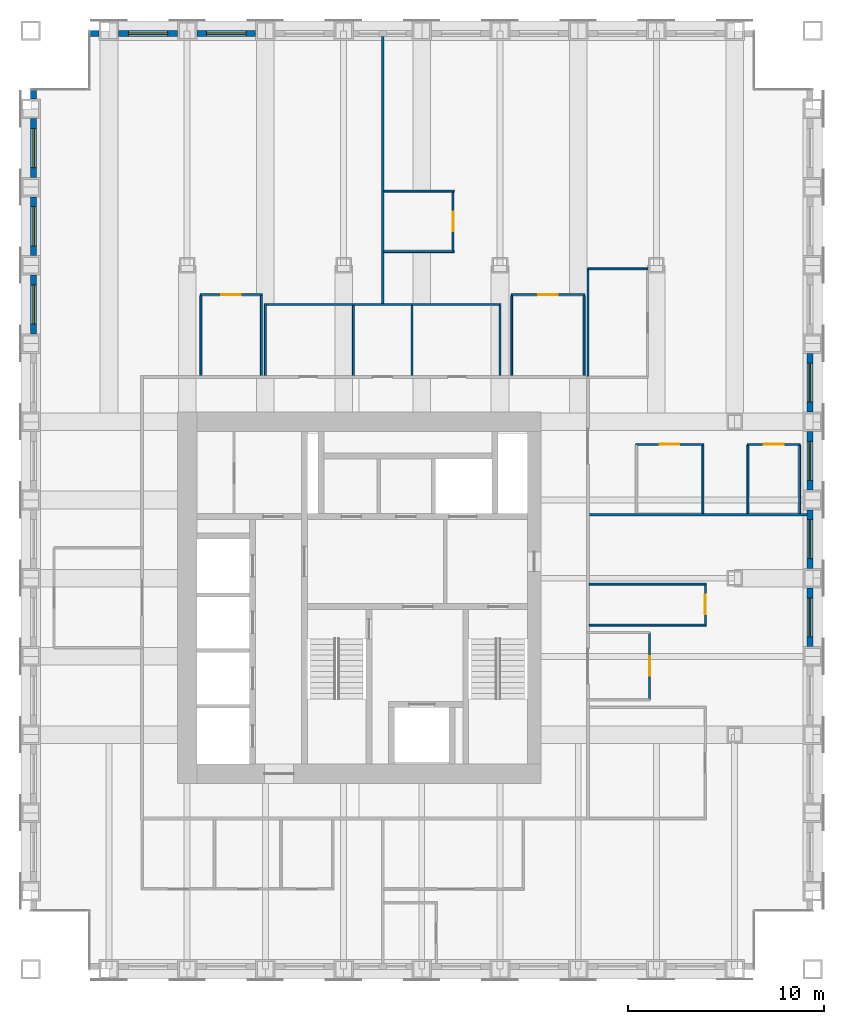
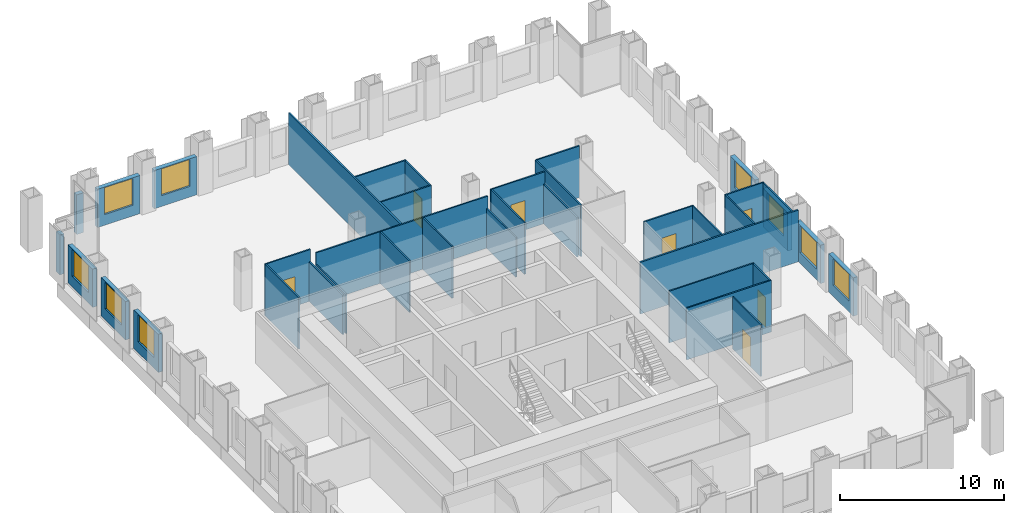
# One storey, part 11 of 14: 38 walls, 9 windows, 7 doors, 16 openings.
"""IFC4 building model written with IfcOpenShell, lengths in metres."""

import ifcopenshell
import ifcopenshell.guid

model = None  # the IFC model being written
_history = None  # IfcOwnerHistory: only IFC2X3 demands one
_inside = {}  # id of a spatial element -> (the spatial element, [elements in it])
_under = {}  # id of a project, library or spatial element -> (it, [spatial elements below it])
_declared = {}  # id of a project -> (the project, [libraries it declares])
_typed = {}  # id of a type object -> (the type object, [elements of that type])
_made_of = {}  # id of a material, layer set ... -> (it, [elements and type objects made of it])


def new_model(schema):
    """Start an empty IFC model of exactly this schema.

    Asked for "IFC4X3", IfcOpenShell would pick the latest addendum, in which some entities
    have other attributes; the version numbers below select the first issue.
    IFC2X3 requires an IfcOwnerHistory on every rooted entity: one is made here for all.
    """
    global model, _history
    if schema == "IFC4X3":
        model = ifcopenshell.file(schema_version=(4, 3, 0, 0))
    else:
        model = ifcopenshell.file(schema=schema)
    _inside.clear()
    _under.clear()
    _declared.clear()
    _typed.clear()
    _made_of.clear()
    _history = None
    if model.schema == "IFC2X3":
        org = make("IfcOrganization", Name="unknown")
        user = make(
            "IfcPersonAndOrganization",
            ThePerson=make("IfcPerson", FamilyName="unknown"),
            TheOrganization=org,
        )
        app = make(
            "IfcApplication",
            ApplicationDeveloper=org,
            Version="unknown",
            ApplicationFullName="unknown",
            ApplicationIdentifier="unknown",
        )
        _history = make(
            "IfcOwnerHistory",
            OwningUser=user,
            OwningApplication=app,
            ChangeAction="ADDED",
            CreationDate=0,
        )
    return model


def make(cls, **values):
    """One entity of the class cls with the attributes given. An attribute that is None is left unset."""
    return model.create_entity(
        cls, **{name: value for name, value in values.items() if value is not None}
    )


def rooted(cls, **values):
    """An entity with a GlobalId (a new one), such as an element, a storey or a relation."""
    return make(cls, GlobalId=ifcopenshell.guid.new(), OwnerHistory=_history, **values)


def si_unit(unit_type, name, prefix=None):
    """IfcSIUnit, for example si_unit("LENGTHUNIT", "METRE", prefix="MILLI")."""
    return make("IfcSIUnit", UnitType=unit_type, Prefix=prefix, Name=name)


def assignment(units):
    """IfcUnitAssignment: the units of a project."""
    return None if units is None else make("IfcUnitAssignment", Units=units)


def point(xyz):
    """IfcCartesianPoint."""
    return None if xyz is None else make("IfcCartesianPoint", Coordinates=xyz)


def direction(xyz):
    """IfcDirection."""
    return None if xyz is None else make("IfcDirection", DirectionRatios=xyz)


def frame(location, z_axis=None, x_axis=None):
    """IfcAxis2Placement3D, a coordinate frame: its origin and axes. An axis left out is left unset."""
    return make(
        "IfcAxis2Placement3D",
        Location=point(location),
        Axis=direction(z_axis),
        RefDirection=direction(x_axis),
    )


def frame_2d(location, x_axis=None):
    """IfcAxis2Placement2D, a coordinate frame in the plane: its origin and x axis."""
    return make(
        "IfcAxis2Placement2D", Location=point(location), RefDirection=direction(x_axis)
    )


def origin():
    """The frame at (0, 0, 0) with its axes left unset."""
    return frame((0.0, 0.0, 0.0))


def place(relative_to, where):
    """IfcLocalPlacement: puts the frame where relative to a parent placement (None: the world)."""
    return make(
        "IfcLocalPlacement", PlacementRelTo=relative_to, RelativePlacement=where
    )


def context(
    kind, dimensions, precision=None, world=None, true_north=None, identifier=None
):
    """IfcGeometricRepresentationContext, for example the 3D "Model" context."""
    return make(
        "IfcGeometricRepresentationContext",
        ContextIdentifier=identifier,
        ContextType=kind,
        CoordinateSpaceDimension=dimensions,
        Precision=precision,
        WorldCoordinateSystem=world,
        TrueNorth=true_north,
    )


def subcontext(parent, identifier, kind, view, scale=None):
    """IfcGeometricRepresentationSubContext, for example "Body" below "Model"."""
    return make(
        "IfcGeometricRepresentationSubContext",
        ContextIdentifier=identifier,
        ContextType=kind,
        ParentContext=parent,
        TargetScale=scale,
        TargetView=view,
    )


def project(units=None, contexts=None):
    """IfcProject with its units and contexts."""
    return rooted(
        "IfcProject",
        Name="project",
        RepresentationContexts=contexts,
        UnitsInContext=assignment(units),
    )


def spatial(cls, under=None, at=None, **own):
    """A site, building, storey or space (cls), placed at a placement, below another one or the project."""
    s = rooted(cls, ObjectPlacement=at, **own)
    if under is not None:
        _under.setdefault(under.id(), (under, []))[1].append(s)
    return s


def profile(cls, at=None, kind="AREA", **sizes):
    """A parametric profile (cls). Its sizes go by their IFC names, for example OverallWidth=200.0."""
    return make(cls, ProfileType=kind, Position=at, **sizes)


def rectangle(**sizes):
    """IfcRectangleProfileDef."""
    return profile("IfcRectangleProfileDef", **sizes)


def extrude(swept, where, along, depth):
    """IfcExtrudedAreaSolid: the profile swept, set in the frame where, extruded along a direction by depth."""
    return make(
        "IfcExtrudedAreaSolid",
        SweptArea=swept,
        Position=where,
        ExtrudedDirection=direction(along),
        Depth=depth,
    )


def shape(context_of_items, identifier, shape_type, items):
    """IfcShapeRepresentation: the items that make up one representation, for example the "Body"."""
    return make(
        "IfcShapeRepresentation",
        ContextOfItems=context_of_items,
        RepresentationIdentifier=identifier,
        RepresentationType=shape_type,
        Items=items,
    )


def material(Name=None, Category=None):
    """IfcMaterial."""
    return make("IfcMaterial", Name=Name, Category=Category)


def layer(
    of_material, thickness, ventilated=None, Name=None, Category=None, Priority=None
):
    """IfcMaterialLayer: one layer of a wall or slab, of a material (None: an air gap)."""
    return make(
        "IfcMaterialLayer",
        Material=of_material,
        LayerThickness=thickness,
        IsVentilated=ventilated,
        Name=Name,
        Category=Category,
        Priority=Priority,
    )


def layer_set(layers, Name=None):
    """IfcMaterialLayerSet."""
    return make("IfcMaterialLayerSet", MaterialLayers=layers, LayerSetName=Name)


def made_of(thing, what):
    """Note that an element or type object is made of a material, layer set ...; save() writes the relation."""
    if what is not None:
        _made_of.setdefault(what.id(), (what, []))[1].append(thing)
    return thing


def type_object(cls, material=None, **own):
    """A type object (cls), such as IfcWallType, which elements share."""
    return made_of(rooted(cls, **own), material)


def element(
    cls,
    number,
    at=None,
    inside=None,
    cuts=None,
    type_object=None,
    material=None,
    context=None,
    identifier="Body",
    shape_type=None,
    held_by="IfcProductDefinitionShape",
    body=None,
    shapes=None,
    **own,
):
    """One element of the class cls, such as IfcWall. Its Tag is "e" and its number.

    at: its placement. inside: the storey or other place that contains it. cuts: it is an
    opening in that element (IfcRelVoidsElement). A single representation is given by context,
    identifier, shape_type and body (its items); several are given by shapes. held_by: the class
    of the entity that holds the representations. save() writes the other relations.
    """
    e = rooted(cls, Tag="e%d" % number, ObjectPlacement=at, **own)
    if body is not None:
        shapes = [shape(context, identifier, shape_type, body)]
    if shapes is not None:
        e.Representation = make(held_by, Representations=shapes)
    if inside is not None:
        _inside.setdefault(inside.id(), (inside, []))[1].append(e)
    if cuts is not None:
        rooted(
            "IfcRelVoidsElement", RelatingBuildingElement=cuts, RelatedOpeningElement=e
        )
    if type_object is not None:
        _typed.setdefault(type_object.id(), (type_object, []))[1].append(e)
    return made_of(e, material)


def fill(opening, filler):
    """IfcRelFillsElement: the door or window that sits in an opening."""
    return rooted(
        "IfcRelFillsElement",
        RelatingOpeningElement=opening,
        RelatedBuildingElement=filler,
    )


def aggregate(whole, parts):
    """IfcRelAggregates: a whole, such as a stair, and the parts it consists of."""
    return rooted("IfcRelAggregates", RelatingObject=whole, RelatedObjects=parts)


def save(model, path):
    """Write the relations noted so far, then the file.

    IfcRelAggregates (storeys below a building ...), IfcRelContainedInSpatialStructure (elements
    in a storey), IfcRelDefinesByType, IfcRelAssociatesMaterial and IfcRelDeclares: one each for
    every whole, place, type object, material and project.
    """
    for whole, parts in _under.values():
        aggregate(whole, parts)
    for where, things in _inside.values():
        rooted(
            "IfcRelContainedInSpatialStructure",
            RelatedElements=things,
            RelatingStructure=where,
        )
    for kind, things in _typed.values():
        rooted("IfcRelDefinesByType", RelatedObjects=things, RelatingType=kind)
    for what, things in _made_of.values():
        rooted("IfcRelAssociatesMaterial", RelatedObjects=things, RelatingMaterial=what)
    for by, libraries in _declared.values():
        rooted("IfcRelDeclares", RelatingContext=by, RelatedDefinitions=libraries)
    model.write(path)


model = new_model("IFC4")

# Units and contexts
model_context = context("Model", 3, precision=1e-05, world=origin(), true_north=direction((0.0, 1.0)))
body_context = subcontext(model_context, "Body", "Model", "MODEL_VIEW")
ifc_project = project(units=[si_unit("LENGTHUNIT", "METRE"), si_unit("AREAUNIT", "SQUARE_METRE"), si_unit("VOLUMEUNIT", "CUBIC_METRE"), si_unit("PLANEANGLEUNIT", "RADIAN"), si_unit("MASSUNIT", "GRAM", prefix="KILO")], contexts=[model_context])

# Site, building, storey
site_placement = place(None, origin())
site = spatial("IfcSite", under=ifc_project, at=site_placement, CompositionType="ELEMENT")
building_placement = place(site_placement, origin())
building = spatial("IfcBuilding", under=site, at=building_placement, Name="Rimbunsela Tower", CompositionType="ELEMENT")
storey_placement = place(building_placement, frame((0.0, 0.0, 230.199951171875)))
storey = spatial("IfcBuildingStorey", under=building, at=storey_placement, Name="L55", CompositionType="ELEMENT", Elevation=230.199951171875)

# Walls
ifc_material_1 = material(Name="Gypsum board on steel studs", Category="steel")
ifc_layer_1 = layer(ifc_material_1, 0.10009765625)
ifc_layer_set_1 = layer_set([ifc_layer_1], Name="Office partition 100")
wall_type_1 = type_object("IfcWallType", Name="Office partition 100", PredefinedType="PARTITIONING", material=ifc_layer_set_1)
for number, where, z_axis, x_axis, name in (
    (1, (38.574951171875, 25.59912109375, 0.0), (0.0, 0.0, 1.0), (1.0, 0.0, 0.0), "Office partition"),
    (2, (38.574951171875, 27.698974609375, 0.0), (0.0, 0.0, 1.0), (1.0, 0.0, 0.0), "Office partition"),
):
    element("IfcWall", number, at=place(storey_placement, frame(where, z_axis=z_axis, x_axis=x_axis)), inside=storey, type_object=wall_type_1, Name=name, PredefinedType="PARTITIONING", context=body_context, shape_type="SweptSolid", body=[
        extrude(rectangle(XDim=5.97509765625, YDim=0.10009765625, at=frame_2d((2.987548828125, 0.0))), origin(), (0.0, 0.0, 1.0), 3.85009765625),
    ])

# Wall, opening, door
wall_1_placement = place(storey_placement, frame((40.925048828125, 34.85009765625, 0.0), z_axis=(0.0, 0.0, 1.0), x_axis=(1.0, 0.0, 0.0)))
wall_1 = element("IfcWall", 3, at=wall_1_placement, inside=storey, type_object=wall_type_1, Name="Office partition", PredefinedType="PARTITIONING", context=body_context, shape_type="SweptSolid", body=[
    extrude(rectangle(XDim=3.5, YDim=0.10009765625, at=frame_2d((1.75, 0.0))), origin(), (0.0, 0.0, 1.0), 3.85009765625),
])
opening_1_placement = place(wall_1_placement, frame((1.25, 0.0, 0.0)))
opening_1 = element("IfcOpeningElement", 4, at=opening_1_placement, cuts=wall_1, Name="Opening D16", PredefinedType="OPENING", context=body_context, shape_type="SweptSolid", body=[
    extrude(rectangle(XDim=1.0, YDim=2.199951171875, at=frame_2d((0.5, 1.10009765625))), frame((0.0, 0.06005859375, 0.0), z_axis=(0.0, -1.0, 0.0), x_axis=(1.0, 0.0, 0.0)), (0.0, 0.0, 1.0), 0.1201171875),
])
ifc_material_2 = material(Name="Timber door", Category="wood")
door_type_1 = type_object("IfcDoorType", Name="Office door 1000", OperationType="SINGLE_SWING_LEFT", PredefinedType="DOOR", material=ifc_material_2)
door_1_placement = place(opening_1_placement, origin())
door_1 = element("IfcDoor", 5, at=door_1_placement, inside=storey, type_object=door_type_1, Name="Office door", OperationType="SINGLE_SWING_LEFT", OverallHeight=2.199951171875, OverallWidth=1.0, PredefinedType="DOOR", context=body_context, shape_type="SweptSolid", body=[
    extrude(rectangle(XDim=1.0, YDim=2.199951171875, at=frame_2d((0.5, 1.10009765625))), frame((0.0, 0.02490234375, 0.0), z_axis=(0.0, -1.0, 0.0), x_axis=(1.0, 0.0, 0.0)), (0.0, 0.0, 1.0), 0.050048828125),
])
fill(opening_1, door_1)

wall_2_placement = place(storey_placement, frame((46.625, 34.85009765625, 0.0), z_axis=(0.0, 0.0, 1.0), x_axis=(1.0, 0.0, 0.0)))
wall_2 = element("IfcWall", 6, at=wall_2_placement, inside=storey, type_object=wall_type_1, Name="Office partition", PredefinedType="PARTITIONING", context=body_context, shape_type="SweptSolid", body=[
    extrude(rectangle(XDim=2.75, YDim=0.10009765625, at=frame_2d((1.375, 0.0))), origin(), (0.0, 0.0, 1.0), 3.85009765625),
])
opening_2_placement = place(wall_2_placement, frame((0.875, 0.0, 0.0)))
opening_2 = element("IfcOpeningElement", 7, at=opening_2_placement, cuts=wall_2, Name="Opening D16", PredefinedType="OPENING", context=body_context, shape_type="SweptSolid", body=[
    extrude(rectangle(XDim=1.0, YDim=2.199951171875, at=frame_2d((0.5, 1.10009765625))), frame((0.0, 0.06005859375, 0.0), z_axis=(0.0, -1.0, 0.0), x_axis=(1.0, 0.0, 0.0)), (0.0, 0.0, 1.0), 0.1201171875),
])
door_2_placement = place(opening_2_placement, origin())
door_2 = element("IfcDoor", 8, at=door_2_placement, inside=storey, type_object=door_type_1, Name="Office door", OperationType="SINGLE_SWING_LEFT", OverallHeight=2.199951171875, OverallWidth=1.0, PredefinedType="DOOR", context=body_context, shape_type="SweptSolid", body=[
    extrude(rectangle(XDim=1.0, YDim=2.199951171875, at=frame_2d((0.5, 1.10009765625))), frame((0.0, 0.02490234375, 0.0), z_axis=(0.0, -1.0, 0.0), x_axis=(1.0, 0.0, 0.0)), (0.0, 0.0, 1.0), 0.050048828125),
])
fill(opening_2, door_2)

wall_3_placement = place(storey_placement, frame((18.64990234375, 42.5, 0.0), z_axis=(0.0, 0.0, 1.0), x_axis=(1.0, 0.0, 0.0)))
wall_3 = element("IfcWall", 9, at=wall_3_placement, inside=storey, type_object=wall_type_1, Name="Office partition", PredefinedType="PARTITIONING", context=body_context, shape_type="SweptSolid", body=[
    extrude(rectangle(XDim=3.2001953125, YDim=0.10009765625, at=frame_2d((1.60009765625, 0.0))), origin(), (0.0, 0.0, 1.0), 3.85009765625),
])
opening_3_placement = place(wall_3_placement, frame((1.10009765625, 0.0, 0.0)))
opening_3 = element("IfcOpeningElement", 10, at=opening_3_placement, cuts=wall_3, Name="Opening D16", PredefinedType="OPENING", context=body_context, shape_type="SweptSolid", body=[
    extrude(rectangle(XDim=1.0, YDim=2.199951171875, at=frame_2d((0.5, 1.10009765625))), frame((0.0, 0.06005859375, 0.0), z_axis=(0.0, -1.0, 0.0), x_axis=(1.0, 0.0, 0.0)), (0.0, 0.0, 1.0), 0.1201171875),
])
door_3_placement = place(opening_3_placement, origin())
door_3 = element("IfcDoor", 11, at=door_3_placement, inside=storey, type_object=door_type_1, Name="Office door", OperationType="SINGLE_SWING_LEFT", OverallHeight=2.199951171875, OverallWidth=1.0, PredefinedType="DOOR", context=body_context, shape_type="SweptSolid", body=[
    extrude(rectangle(XDim=1.0, YDim=2.199951171875, at=frame_2d((0.5, 1.10009765625))), frame((0.0, 0.02490234375, 0.0), z_axis=(0.0, -1.0, 0.0), x_axis=(1.0, 0.0, 0.0)), (0.0, 0.0, 1.0), 0.050048828125),
])
fill(opening_3, door_3)

wall_4_placement = place(storey_placement, frame((34.550048828125, 42.5, 0.0), z_axis=(0.0, 0.0, 1.0), x_axis=(1.0, 0.0, 0.0)))
wall_4 = element("IfcWall", 12, at=wall_4_placement, inside=storey, type_object=wall_type_1, Name="Office partition", PredefinedType="PARTITIONING", context=body_context, shape_type="SweptSolid", body=[
    extrude(rectangle(XDim=3.800048828125, YDim=0.10009765625, at=frame_2d((1.89990234375, 0.0))), origin(), (0.0, 0.0, 1.0), 3.85009765625),
])
opening_4_placement = place(wall_4_placement, frame((1.39990234375, 0.0, 0.0)))
opening_4 = element("IfcOpeningElement", 13, at=opening_4_placement, cuts=wall_4, Name="Opening D17", PredefinedType="OPENING", context=body_context, shape_type="SweptSolid", body=[
    extrude(rectangle(XDim=1.0, YDim=2.199951171875, at=frame_2d((0.5, 1.10009765625))), frame((0.0, 0.06005859375, 0.0), z_axis=(0.0, -1.0, 0.0), x_axis=(1.0, 0.0, 0.0)), (0.0, 0.0, 1.0), 0.1201171875),
])
ifc_material_3 = material(Name="Glazed aluminium door", Category="aluminium")
door_type_2 = type_object("IfcDoorType", Name="Meeting room door 1000 glazed", OperationType="SINGLE_SWING_RIGHT", PredefinedType="DOOR", material=ifc_material_3)
door_4_placement = place(opening_4_placement, origin())
door_4 = element("IfcDoor", 14, at=door_4_placement, inside=storey, type_object=door_type_2, Name="Meeting room door", OperationType="SINGLE_SWING_RIGHT", OverallHeight=2.199951171875, OverallWidth=1.0, PredefinedType="DOOR", context=body_context, shape_type="SweptSolid", body=[
    extrude(rectangle(XDim=1.0, YDim=2.199951171875, at=frame_2d((0.5, 1.10009765625))), frame((0.0, 0.02490234375, 0.0), z_axis=(0.0, -1.0, 0.0), x_axis=(1.0, 0.0, 0.0)), (0.0, 0.0, 1.0), 0.050048828125),
])
fill(opening_4, door_4)

# Walls
for number, where, z_axis, x_axis, name in (
    (15, (28.06005859375, 44.699951171875, 0.0), (0.0, 0.0, 1.0), (1.0, 0.0, 0.0), "Office partition"),
    (16, (28.06005859375, 47.800048828125, 0.0), (0.0, 0.0, 1.0), (1.0, 0.0, 0.0), "Office partition"),
):
    element("IfcWall", number, at=place(storey_placement, frame(where, z_axis=z_axis, x_axis=x_axis)), inside=storey, type_object=wall_type_1, Name=name, PredefinedType="PARTITIONING", context=body_context, shape_type="SweptSolid", body=[
        extrude(rectangle(XDim=3.58984375, YDim=0.10009765625, at=frame_2d((1.794921875, 0.0))), origin(), (0.0, 0.0, 1.0), 3.85009765625),
    ])
wall_5_placement = place(storey_placement, frame((18.699951171875, 38.375, 0.0), z_axis=(0.0, 0.0, 1.0), x_axis=(0.0, 1.0, 0.0)))
element("IfcWall", 17, at=wall_5_placement, inside=storey, type_object=wall_type_1, Name="Office partition", PredefinedType="PARTITIONING", context=body_context, shape_type="SweptSolid", body=[
    extrude(rectangle(XDim=4.074951171875, YDim=0.10009765625, at=frame_2d((2.03759765625, 0.0))), origin(), (0.0, 0.0, 1.0), 3.85009765625),
])
wall_6_placement = place(storey_placement, frame((21.800048828125, 38.375, 0.0), z_axis=(0.0, 0.0, 1.0), x_axis=(0.0, 1.0, 0.0)))
element("IfcWall", 18, at=wall_6_placement, inside=storey, type_object=wall_type_1, Name="Office partition", PredefinedType="PARTITIONING", context=body_context, shape_type="SweptSolid", body=[
    extrude(rectangle(XDim=4.074951171875, YDim=0.10009765625, at=frame_2d((2.03759765625, 0.0))), origin(), (0.0, 0.0, 1.0), 2.949951171875),
])

# Wall, opening, door
wall_7_placement = place(storey_placement, frame((31.60009765625, 44.75, 0.0), z_axis=(0.0, 0.0, 1.0), x_axis=(0.0, 1.0, 0.0)))
wall_7 = element("IfcWall", 19, at=wall_7_placement, inside=storey, type_object=wall_type_1, Name="Office partition", PredefinedType="PARTITIONING", context=body_context, shape_type="SweptSolid", body=[
    extrude(rectangle(XDim=3.0, YDim=0.10009765625, at=frame_2d((1.5, 0.0))), origin(), (0.0, 0.0, 1.0), 3.85009765625),
])
opening_5_placement = place(wall_7_placement, frame((1.0, 0.0, 0.0)))
opening_5 = element("IfcOpeningElement", 20, at=opening_5_placement, cuts=wall_7, Name="Opening D16", PredefinedType="OPENING", context=body_context, shape_type="SweptSolid", body=[
    extrude(rectangle(XDim=1.0, YDim=2.199951171875, at=frame_2d((0.5, 1.10009765625))), frame((0.0, 0.06005859375, 0.0), z_axis=(0.0, -1.0, 0.0), x_axis=(1.0, 0.0, 0.0)), (0.0, 0.0, 1.0), 0.1201171875),
])
door_5_placement = place(opening_5_placement, origin())
door_5 = element("IfcDoor", 21, at=door_5_placement, inside=storey, type_object=door_type_1, Name="Office door", OperationType="SINGLE_SWING_LEFT", OverallHeight=2.199951171875, OverallWidth=1.0, PredefinedType="DOOR", context=body_context, shape_type="SweptSolid", body=[
    extrude(rectangle(XDim=1.0, YDim=2.199951171875, at=frame_2d((0.5, 1.10009765625))), frame((0.0, 0.02490234375, 0.0), z_axis=(0.0, -1.0, 0.0), x_axis=(1.0, 0.0, 0.0)), (0.0, 0.0, 1.0), 0.050048828125),
])
fill(opening_5, door_5)

# Walls
wall_8_placement = place(storey_placement, frame((34.60009765625, 38.375, 0.0), z_axis=(0.0, 0.0, 1.0), x_axis=(0.0, 1.0, 0.0)))
element("IfcWall", 22, at=wall_8_placement, inside=storey, type_object=wall_type_1, Name="Office partition", PredefinedType="PARTITIONING", context=body_context, shape_type="SweptSolid", body=[
    extrude(rectangle(XDim=4.074951171875, YDim=0.10009765625, at=frame_2d((2.03759765625, 0.0))), origin(), (0.0, 0.0, 1.0), 3.85009765625),
])
wall_9_placement = place(storey_placement, frame((38.300048828125, 38.375, 0.0), z_axis=(0.0, 0.0, 1.0), x_axis=(0.0, 1.0, 0.0)))
element("IfcWall", 23, at=wall_9_placement, inside=storey, type_object=wall_type_1, Name="Office partition", PredefinedType="PARTITIONING", context=body_context, shape_type="SweptSolid", body=[
    extrude(rectangle(XDim=4.074951171875, YDim=0.10009765625, at=frame_2d((2.03759765625, 0.0))), origin(), (0.0, 0.0, 1.0), 2.949951171875),
])
wall_10_placement = place(storey_placement, frame((44.375, 31.31005859375, 0.0), z_axis=(0.0, 0.0, 1.0), x_axis=(0.0, 1.0, 0.0)))
element("IfcWall", 24, at=wall_10_placement, inside=storey, type_object=wall_type_1, Name="Office partition", PredefinedType="PARTITIONING", context=body_context, shape_type="SweptSolid", body=[
    extrude(rectangle(XDim=3.489990234375, YDim=0.10009765625, at=frame_2d((1.7451171875, 0.0))), origin(), (0.0, 0.0, 1.0), 3.85009765625),
])

# Wall, opening, door
wall_11_placement = place(storey_placement, frame((44.5, 25.64892578125, 0.0), z_axis=(0.0, 0.0, 1.0), x_axis=(0.0, 1.0, 0.0)))
wall_11 = element("IfcWall", 25, at=wall_11_placement, inside=storey, type_object=wall_type_1, Name="Office partition", PredefinedType="PARTITIONING", context=body_context, shape_type="SweptSolid", body=[
    extrude(rectangle(XDim=2.0, YDim=0.10009765625, at=frame_2d((1.0, 0.0))), origin(), (0.0, 0.0, 1.0), 3.85009765625),
])
opening_6_placement = place(wall_11_placement, frame((0.5, 0.0, 0.0)))
opening_6 = element("IfcOpeningElement", 26, at=opening_6_placement, cuts=wall_11, Name="Opening D16", PredefinedType="OPENING", context=body_context, shape_type="SweptSolid", body=[
    extrude(rectangle(XDim=1.0, YDim=2.199951171875, at=frame_2d((0.5, 1.10009765625))), frame((0.0, 0.06005859375, 0.0), z_axis=(0.0, -1.0, 0.0), x_axis=(1.0, 0.0, 0.0)), (0.0, 0.0, 1.0), 0.1201171875),
])
door_6_placement = place(opening_6_placement, origin())
door_6 = element("IfcDoor", 27, at=door_6_placement, inside=storey, type_object=door_type_1, Name="Office door", OperationType="SINGLE_SWING_LEFT", OverallHeight=2.199951171875, OverallWidth=1.0, PredefinedType="DOOR", context=body_context, shape_type="SweptSolid", body=[
    extrude(rectangle(XDim=1.0, YDim=2.199951171875, at=frame_2d((0.5, 1.10009765625))), frame((0.0, 0.02490234375, 0.0), z_axis=(0.0, -1.0, 0.0), x_axis=(1.0, 0.0, 0.0)), (0.0, 0.0, 1.0), 0.050048828125),
])
fill(opening_6, door_6)

# Walls
for number, where, z_axis, x_axis, name in (
    (28, (46.675048828125, 31.31005859375, 0.0), (0.0, 0.0, 1.0), (0.0, 1.0, 0.0), "Office partition"),
    (29, (49.324951171875, 31.31005859375, 0.0), (0.0, 0.0, 1.0), (0.0, 1.0, 0.0), "Office partition"),
):
    element("IfcWall", number, at=place(storey_placement, frame(where, z_axis=z_axis, x_axis=x_axis)), inside=storey, type_object=wall_type_1, Name=name, PredefinedType="PARTITIONING", context=body_context, shape_type="SweptSolid", body=[
        extrude(rectangle(XDim=3.489990234375, YDim=0.10009765625, at=frame_2d((1.7451171875, 0.0))), origin(), (0.0, 0.0, 1.0), 3.85009765625),
    ])

# Wall, opening, door
wall_12_placement = place(storey_placement, frame((41.64990234375, 21.77392578125, 0.0), z_axis=(0.0, 0.0, 1.0), x_axis=(0.0, 1.0, 0.0)))
wall_12 = element("IfcWall", 30, at=wall_12_placement, inside=storey, type_object=wall_type_1, Name="Office partition", PredefinedType="PARTITIONING", context=body_context, shape_type="SweptSolid", body=[
    extrude(rectangle(XDim=3.4501953125, YDim=0.10009765625, at=frame_2d((1.72509765625, 0.0))), origin(), (0.0, 0.0, 1.0), 3.85009765625),
])
opening_7_placement = place(wall_12_placement, frame((1.22509765625, 0.0, 0.0)))
opening_7 = element("IfcOpeningElement", 31, at=opening_7_placement, cuts=wall_12, Name="Opening D17", PredefinedType="OPENING", context=body_context, shape_type="SweptSolid", body=[
    extrude(rectangle(XDim=1.0, YDim=2.199951171875, at=frame_2d((0.5, 1.10009765625))), frame((0.0, 0.06005859375, 0.0), z_axis=(0.0, -1.0, 0.0), x_axis=(1.0, 0.0, 0.0)), (0.0, 0.0, 1.0), 0.1201171875),
])
door_7_placement = place(opening_7_placement, origin())
door_7 = element("IfcDoor", 32, at=door_7_placement, inside=storey, type_object=door_type_2, Name="Reception door", OperationType="SINGLE_SWING_RIGHT", OverallHeight=2.199951171875, OverallWidth=1.0, PredefinedType="DOOR", context=body_context, shape_type="SweptSolid", body=[
    extrude(rectangle(XDim=1.0, YDim=2.199951171875, at=frame_2d((0.5, 1.10009765625))), frame((0.0, 0.02490234375, 0.0), z_axis=(0.0, -1.0, 0.0), x_axis=(1.0, 0.0, 0.0)), (0.0, 0.0, 1.0), 0.050048828125),
])
fill(opening_7, door_7)

# Walls
wall_13_placement = place(storey_placement, frame((41.550048828125, 43.825927734375, 0.0), z_axis=(0.0, 0.0, 1.0), x_axis=(-1.0, 0.0, 0.0)))
element("IfcWall", 33, at=wall_13_placement, inside=storey, type_object=wall_type_1, Name="Office partition", PredefinedType="PARTITIONING", context=body_context, shape_type="SweptSolid", body=[
    extrude(rectangle(XDim=3.050048828125, YDim=0.10009765625, at=frame_2d((1.52490234375, 0.0))), origin(), (0.0, 0.0, 1.0), 3.85009765625),
])
wall_14_placement = place(storey_placement, frame((38.5, 43.825927734375, 0.0), z_axis=(0.0, 0.0, 1.0), x_axis=(0.0, -1.0, 0.0)))
element("IfcWall", 34, at=wall_14_placement, inside=storey, type_object=wall_type_1, Name="Office partition", PredefinedType="PARTITIONING", context=body_context, shape_type="SweptSolid", body=[
    extrude(rectangle(XDim=5.52587890625, YDim=0.10009765625, at=frame_2d((2.762939453125, 0.0))), origin(), (0.0, 0.0, 1.0), 3.85009765625),
])

# Wall, opening, window
ifc_material_4 = material(Name="Precast concrete fc' 35 MPa", Category="concrete")
ifc_layer_2 = layer(ifc_material_4, 0.300048828125)
ifc_layer_set_2 = layer_set([ifc_layer_2], Name="Precast concrete fc' 35 MPa")
wall_type_2 = type_object("IfcWallType", Name="Precast facade panel 300", PredefinedType="ELEMENTEDWALL", material=ifc_layer_set_2)
wall_15_placement = place(storey_placement, frame((49.85009765625, 24.5, 0.0), z_axis=(0.0, 0.0, 1.0), x_axis=(0.0, 1.0, 0.0)))
wall_15 = element("IfcWall", 35, at=wall_15_placement, inside=storey, type_object=wall_type_2, Name="Facade panel E L55", PredefinedType="ELEMENTEDWALL", context=body_context, shape_type="SweptSolid", body=[
    extrude(rectangle(XDim=3.0, YDim=0.300048828125, at=frame_2d((1.5, 0.0))), origin(), (0.0, 0.0, 1.0), 2.85009765625),
])
opening_8_placement = place(wall_15_placement, frame((0.5, 0.0, 0.800048828125)))
opening_8 = element("IfcOpeningElement", 36, at=opening_8_placement, cuts=wall_15, Name="Opening W1", PredefinedType="OPENING", context=body_context, shape_type="SweptSolid", body=[
    extrude(rectangle(XDim=2.0, YDim=2.0, at=frame_2d((1.0, 1.0))), frame((0.0, 0.159912109375, 0.0), z_axis=(0.0, -1.0, 0.0), x_axis=(1.0, 0.0, 0.0)), (0.0, 0.0, 1.0), 0.320068359375),
])
ifc_material_5 = material(Name="Clear glass in aluminium frame", Category="aluminium")
window_type = type_object("IfcWindowType", Name="Window W1 2000x2000", PartitioningType="DOUBLE_PANEL_VERTICAL", PredefinedType="WINDOW", material=ifc_material_5)
window_1_placement = place(opening_8_placement, origin())
window_1 = element("IfcWindow", 37, at=window_1_placement, inside=storey, type_object=window_type, Name="Window L55", OverallHeight=2.0, OverallWidth=2.0, PartitioningType="SINGLE_PANEL", PredefinedType="WINDOW", context=body_context, shape_type="SweptSolid", body=[
    extrude(rectangle(XDim=2.0, YDim=2.0, at=frame_2d((1.0, 1.0))), frame((0.0, 0.030029296875, 0.0), z_axis=(0.0, -1.0, 0.0), x_axis=(1.0, 0.0, 0.0)), (0.0, 0.0, 1.0), 0.06005859375),
])
fill(opening_8, window_1)

wall_16_placement = place(storey_placement, frame((49.85009765625, 28.5, 0.0), z_axis=(0.0, 0.0, 1.0), x_axis=(0.0, 1.0, 0.0)))
wall_16 = element("IfcWall", 38, at=wall_16_placement, inside=storey, type_object=wall_type_2, Name="Facade panel E L55", PredefinedType="ELEMENTEDWALL", context=body_context, shape_type="SweptSolid", body=[
    extrude(rectangle(XDim=3.0, YDim=0.300048828125, at=frame_2d((1.5, 0.0))), origin(), (0.0, 0.0, 1.0), 2.85009765625),
])
opening_9_placement = place(wall_16_placement, frame((0.5, 0.0, 0.800048828125)))
opening_9 = element("IfcOpeningElement", 39, at=opening_9_placement, cuts=wall_16, Name="Opening W1", PredefinedType="OPENING", context=body_context, shape_type="SweptSolid", body=[
    extrude(rectangle(XDim=2.0, YDim=2.0, at=frame_2d((1.0, 1.0))), frame((0.0, 0.159912109375, 0.0), z_axis=(0.0, -1.0, 0.0), x_axis=(1.0, 0.0, 0.0)), (0.0, 0.0, 1.0), 0.320068359375),
])
window_2_placement = place(opening_9_placement, origin())
window_2 = element("IfcWindow", 40, at=window_2_placement, inside=storey, type_object=window_type, Name="Window L55", OverallHeight=2.0, OverallWidth=2.0, PartitioningType="SINGLE_PANEL", PredefinedType="WINDOW", context=body_context, shape_type="SweptSolid", body=[
    extrude(rectangle(XDim=2.0, YDim=2.0, at=frame_2d((1.0, 1.0))), frame((0.0, 0.030029296875, 0.0), z_axis=(0.0, -1.0, 0.0), x_axis=(1.0, 0.0, 0.0)), (0.0, 0.0, 1.0), 0.06005859375),
])
fill(opening_9, window_2)

wall_17_placement = place(storey_placement, frame((49.85009765625, 32.5, 0.0), z_axis=(0.0, 0.0, 1.0), x_axis=(0.0, 1.0, 0.0)))
wall_17 = element("IfcWall", 41, at=wall_17_placement, inside=storey, type_object=wall_type_2, Name="Facade panel E L55", PredefinedType="ELEMENTEDWALL", context=body_context, shape_type="SweptSolid", body=[
    extrude(rectangle(XDim=3.0, YDim=0.300048828125, at=frame_2d((1.5, 0.0))), origin(), (0.0, 0.0, 1.0), 2.85009765625),
])
opening_10_placement = place(wall_17_placement, frame((0.5, 0.0, 0.800048828125)))
opening_10 = element("IfcOpeningElement", 42, at=opening_10_placement, cuts=wall_17, Name="Opening W1", PredefinedType="OPENING", context=body_context, shape_type="SweptSolid", body=[
    extrude(rectangle(XDim=2.0, YDim=2.0, at=frame_2d((1.0, 1.0))), frame((0.0, 0.159912109375, 0.0), z_axis=(0.0, -1.0, 0.0), x_axis=(1.0, 0.0, 0.0)), (0.0, 0.0, 1.0), 0.320068359375),
])
window_3_placement = place(opening_10_placement, origin())
window_3 = element("IfcWindow", 43, at=window_3_placement, inside=storey, type_object=window_type, Name="Window L55", OverallHeight=2.0, OverallWidth=2.0, PartitioningType="SINGLE_PANEL", PredefinedType="WINDOW", context=body_context, shape_type="SweptSolid", body=[
    extrude(rectangle(XDim=2.0, YDim=2.0, at=frame_2d((1.0, 1.0))), frame((0.0, 0.030029296875, 0.0), z_axis=(0.0, -1.0, 0.0), x_axis=(1.0, 0.0, 0.0)), (0.0, 0.0, 1.0), 0.06005859375),
])
fill(opening_10, window_3)

wall_18_placement = place(storey_placement, frame((49.85009765625, 36.5, 0.0), z_axis=(0.0, 0.0, 1.0), x_axis=(0.0, 1.0, 0.0)))
wall_18 = element("IfcWall", 44, at=wall_18_placement, inside=storey, type_object=wall_type_2, Name="Facade panel E L55", PredefinedType="ELEMENTEDWALL", context=body_context, shape_type="SweptSolid", body=[
    extrude(rectangle(XDim=3.0, YDim=0.300048828125, at=frame_2d((1.5, 0.0))), origin(), (0.0, 0.0, 1.0), 2.85009765625),
])
opening_11_placement = place(wall_18_placement, frame((0.5, 0.0, 0.800048828125)))
opening_11 = element("IfcOpeningElement", 45, at=opening_11_placement, cuts=wall_18, Name="Opening W1", PredefinedType="OPENING", context=body_context, shape_type="SweptSolid", body=[
    extrude(rectangle(XDim=2.0, YDim=2.0, at=frame_2d((1.0, 1.0))), frame((0.0, 0.159912109375, 0.0), z_axis=(0.0, -1.0, 0.0), x_axis=(1.0, 0.0, 0.0)), (0.0, 0.0, 1.0), 0.320068359375),
])
window_4_placement = place(opening_11_placement, origin())
window_4 = element("IfcWindow", 46, at=window_4_placement, inside=storey, type_object=window_type, Name="Window L55", OverallHeight=2.0, OverallWidth=2.0, PartitioningType="SINGLE_PANEL", PredefinedType="WINDOW", context=body_context, shape_type="SweptSolid", body=[
    extrude(rectangle(XDim=2.0, YDim=2.0, at=frame_2d((1.0, 1.0))), frame((0.0, 0.030029296875, 0.0), z_axis=(0.0, -1.0, 0.0), x_axis=(1.0, 0.0, 0.0)), (0.0, 0.0, 1.0), 0.06005859375),
])
fill(opening_11, window_4)

# Wall
wall_19_placement = place(storey_placement, frame((13.5, 55.85009765625, 0.0), z_axis=(0.0, 0.0, 1.0), x_axis=(-1.0, 0.0, 0.0)))
element("IfcWall", 47, at=wall_19_placement, inside=storey, type_object=wall_type_2, Name="Facade panel N L55", PredefinedType="ELEMENTEDWALL", context=body_context, shape_type="SweptSolid", body=[
    extrude(rectangle(XDim=0.469970703125, YDim=0.300048828125, at=frame_2d((0.23486328125, 0.0))), origin(), (0.0, 0.0, 1.0), 2.949951171875),
])

# Wall, opening, window
wall_20_placement = place(storey_placement, frame((17.5, 55.85009765625, 0.0), z_axis=(0.0, 0.0, 1.0), x_axis=(-1.0, 0.0, 0.0)))
wall_20 = element("IfcWall", 48, at=wall_20_placement, inside=storey, type_object=wall_type_2, Name="Facade panel N L55", PredefinedType="ELEMENTEDWALL", context=body_context, shape_type="SweptSolid", body=[
    extrude(rectangle(XDim=3.0, YDim=0.300048828125, at=frame_2d((1.5, 0.0))), origin(), (0.0, 0.0, 1.0), 2.85009765625),
])
opening_12_placement = place(wall_20_placement, frame((0.5, 0.0, 0.800048828125)))
opening_12 = element("IfcOpeningElement", 49, at=opening_12_placement, cuts=wall_20, Name="Opening W1", PredefinedType="OPENING", context=body_context, shape_type="SweptSolid", body=[
    extrude(rectangle(XDim=2.0, YDim=2.0, at=frame_2d((1.0, 1.0))), frame((0.0, 0.159912109375, 0.0), z_axis=(0.0, -1.0, 0.0), x_axis=(1.0, 0.0, 0.0)), (0.0, 0.0, 1.0), 0.320068359375),
])
window_5_placement = place(opening_12_placement, origin())
window_5 = element("IfcWindow", 50, at=window_5_placement, inside=storey, type_object=window_type, Name="Window L55", OverallHeight=2.0, OverallWidth=2.0, PartitioningType="SINGLE_PANEL", PredefinedType="WINDOW", context=body_context, shape_type="SweptSolid", body=[
    extrude(rectangle(XDim=2.0, YDim=2.0, at=frame_2d((1.0, 1.0))), frame((0.0, 0.030029296875, 0.0), z_axis=(0.0, -1.0, 0.0), x_axis=(1.0, 0.0, 0.0)), (0.0, 0.0, 1.0), 0.06005859375),
])
fill(opening_12, window_5)

wall_21_placement = place(storey_placement, frame((21.5, 55.85009765625, 0.0), z_axis=(0.0, 0.0, 1.0), x_axis=(-1.0, 0.0, 0.0)))
wall_21 = element("IfcWall", 51, at=wall_21_placement, inside=storey, type_object=wall_type_2, Name="Facade panel N L55", PredefinedType="ELEMENTEDWALL", context=body_context, shape_type="SweptSolid", body=[
    extrude(rectangle(XDim=3.0, YDim=0.300048828125, at=frame_2d((1.5, 0.0))), origin(), (0.0, 0.0, 1.0), 2.85009765625),
])
opening_13_placement = place(wall_21_placement, frame((0.5, 0.0, 0.800048828125)))
opening_13 = element("IfcOpeningElement", 52, at=opening_13_placement, cuts=wall_21, Name="Opening W1", PredefinedType="OPENING", context=body_context, shape_type="SweptSolid", body=[
    extrude(rectangle(XDim=2.0, YDim=2.0, at=frame_2d((1.0, 1.0))), frame((0.0, 0.159912109375, 0.0), z_axis=(0.0, -1.0, 0.0), x_axis=(1.0, 0.0, 0.0)), (0.0, 0.0, 1.0), 0.320068359375),
])
window_6_placement = place(opening_13_placement, origin())
window_6 = element("IfcWindow", 53, at=window_6_placement, inside=storey, type_object=window_type, Name="Window L55", OverallHeight=2.0, OverallWidth=2.0, PartitioningType="SINGLE_PANEL", PredefinedType="WINDOW", context=body_context, shape_type="SweptSolid", body=[
    extrude(rectangle(XDim=2.0, YDim=2.0, at=frame_2d((1.0, 1.0))), frame((0.0, 0.030029296875, 0.0), z_axis=(0.0, -1.0, 0.0), x_axis=(1.0, 0.0, 0.0)), (0.0, 0.0, 1.0), 0.06005859375),
])
fill(opening_13, window_6)

wall_22_placement = place(storey_placement, frame((10.14990234375, 43.5, 0.0), z_axis=(0.0, 0.0, 1.0), x_axis=(0.0, -1.0, 0.0)))
wall_22 = element("IfcWall", 54, at=wall_22_placement, inside=storey, type_object=wall_type_2, Name="Facade panel W L55", PredefinedType="ELEMENTEDWALL", context=body_context, shape_type="SweptSolid", body=[
    extrude(rectangle(XDim=3.0, YDim=0.300048828125, at=frame_2d((1.5, 0.0))), origin(), (0.0, 0.0, 1.0), 2.85009765625),
])
opening_14_placement = place(wall_22_placement, frame((0.5, 0.0, 0.800048828125)))
opening_14 = element("IfcOpeningElement", 55, at=opening_14_placement, cuts=wall_22, Name="Opening W1", PredefinedType="OPENING", context=body_context, shape_type="SweptSolid", body=[
    extrude(rectangle(XDim=2.0, YDim=2.0, at=frame_2d((1.0, 1.0))), frame((0.0, 0.159912109375, 0.0), z_axis=(0.0, -1.0, 0.0), x_axis=(1.0, 0.0, 0.0)), (0.0, 0.0, 1.0), 0.320068359375),
])
window_7_placement = place(opening_14_placement, origin())
window_7 = element("IfcWindow", 56, at=window_7_placement, inside=storey, type_object=window_type, Name="Window L55", OverallHeight=2.0, OverallWidth=2.0, PartitioningType="SINGLE_PANEL", PredefinedType="WINDOW", context=body_context, shape_type="SweptSolid", body=[
    extrude(rectangle(XDim=2.0, YDim=2.0, at=frame_2d((1.0, 1.0))), frame((0.0, 0.030029296875, 0.0), z_axis=(0.0, -1.0, 0.0), x_axis=(1.0, 0.0, 0.0)), (0.0, 0.0, 1.0), 0.06005859375),
])
fill(opening_14, window_7)

wall_23_placement = place(storey_placement, frame((10.14990234375, 47.5, 0.0), z_axis=(0.0, 0.0, 1.0), x_axis=(0.0, -1.0, 0.0)))
wall_23 = element("IfcWall", 57, at=wall_23_placement, inside=storey, type_object=wall_type_2, Name="Facade panel W L55", PredefinedType="ELEMENTEDWALL", context=body_context, shape_type="SweptSolid", body=[
    extrude(rectangle(XDim=3.0, YDim=0.300048828125, at=frame_2d((1.5, 0.0))), origin(), (0.0, 0.0, 1.0), 2.85009765625),
])
opening_15_placement = place(wall_23_placement, frame((0.5, 0.0, 0.800048828125)))
opening_15 = element("IfcOpeningElement", 58, at=opening_15_placement, cuts=wall_23, Name="Opening W1", PredefinedType="OPENING", context=body_context, shape_type="SweptSolid", body=[
    extrude(rectangle(XDim=2.0, YDim=2.0, at=frame_2d((1.0, 1.0))), frame((0.0, 0.159912109375, 0.0), z_axis=(0.0, -1.0, 0.0), x_axis=(1.0, 0.0, 0.0)), (0.0, 0.0, 1.0), 0.320068359375),
])
window_8_placement = place(opening_15_placement, origin())
window_8 = element("IfcWindow", 59, at=window_8_placement, inside=storey, type_object=window_type, Name="Window L55", OverallHeight=2.0, OverallWidth=2.0, PartitioningType="SINGLE_PANEL", PredefinedType="WINDOW", context=body_context, shape_type="SweptSolid", body=[
    extrude(rectangle(XDim=2.0, YDim=2.0, at=frame_2d((1.0, 1.0))), frame((0.0, 0.030029296875, 0.0), z_axis=(0.0, -1.0, 0.0), x_axis=(1.0, 0.0, 0.0)), (0.0, 0.0, 1.0), 0.06005859375),
])
fill(opening_15, window_8)

wall_24_placement = place(storey_placement, frame((10.14990234375, 51.5, 0.0), z_axis=(0.0, 0.0, 1.0), x_axis=(0.0, -1.0, 0.0)))
wall_24 = element("IfcWall", 60, at=wall_24_placement, inside=storey, type_object=wall_type_2, Name="Facade panel W L55", PredefinedType="ELEMENTEDWALL", context=body_context, shape_type="SweptSolid", body=[
    extrude(rectangle(XDim=3.0, YDim=0.300048828125, at=frame_2d((1.5, 0.0))), origin(), (0.0, 0.0, 1.0), 2.85009765625),
])
opening_16_placement = place(wall_24_placement, frame((0.5, 0.0, 0.800048828125)))
opening_16 = element("IfcOpeningElement", 61, at=opening_16_placement, cuts=wall_24, Name="Opening W1", PredefinedType="OPENING", context=body_context, shape_type="SweptSolid", body=[
    extrude(rectangle(XDim=2.0, YDim=2.0, at=frame_2d((1.0, 1.0))), frame((0.0, 0.159912109375, 0.0), z_axis=(0.0, -1.0, 0.0), x_axis=(1.0, 0.0, 0.0)), (0.0, 0.0, 1.0), 0.320068359375),
])
window_9_placement = place(opening_16_placement, origin())
window_9 = element("IfcWindow", 62, at=window_9_placement, inside=storey, type_object=window_type, Name="Window L55", OverallHeight=2.0, OverallWidth=2.0, PartitioningType="SINGLE_PANEL", PredefinedType="WINDOW", context=body_context, shape_type="SweptSolid", body=[
    extrude(rectangle(XDim=2.0, YDim=2.0, at=frame_2d((1.0, 1.0))), frame((0.0, 0.030029296875, 0.0), z_axis=(0.0, -1.0, 0.0), x_axis=(1.0, 0.0, 0.0)), (0.0, 0.0, 1.0), 0.06005859375),
])
fill(opening_16, window_9)

# Walls
wall_25_placement = place(storey_placement, frame((10.14990234375, 52.969970703125, 0.0), z_axis=(0.0, 0.0, 1.0), x_axis=(0.0, -1.0, 0.0)))
element("IfcWall", 63, at=wall_25_placement, inside=storey, type_object=wall_type_2, Name="Facade panel W L55", PredefinedType="ELEMENTEDWALL", context=body_context, shape_type="SweptSolid", body=[
    extrude(rectangle(XDim=0.469970703125, YDim=0.300048828125, at=frame_2d((0.23486328125, 0.0))), origin(), (0.0, 0.0, 1.0), 2.949951171875),
])
ifc_material_6 = material(Name="Gypsum board on steel studs", Category="steel")
ifc_layer_3 = layer(ifc_material_6, 0.1201171875)
ifc_layer_set_3 = layer_set([ifc_layer_3], Name="Tenancy partition 120")
wall_type_3 = type_object("IfcWallType", Name="Tenancy partition 120", PredefinedType="PARTITIONING", material=ifc_layer_set_3)
wall_26_placement = place(storey_placement, frame((28.0, 42.050048828125, 0.0), z_axis=(0.0, 0.0, 1.0), x_axis=(0.0, 1.0, 0.0)))
element("IfcWall", 64, at=wall_26_placement, inside=storey, type_object=wall_type_3, Name="Tenancy partition north", PredefinedType="PARTITIONING", context=body_context, shape_type="SweptSolid", body=[
    extrude(rectangle(XDim=13.64990234375, YDim=0.1201171875, at=frame_2d((6.824951171875, 0.0))), origin(), (0.0, 0.0, 1.0), 3.85009765625),
])
wall_27_placement = place(storey_placement, frame((38.574951171875, 31.25, 0.0), z_axis=(0.0, 0.0, 1.0), x_axis=(1.0, 0.0, 0.0)))
element("IfcWall", 65, at=wall_27_placement, inside=storey, type_object=wall_type_3, Name="Tenancy partition", PredefinedType="PARTITIONING", context=body_context, shape_type="SweptSolid", body=[
    extrude(rectangle(XDim=11.125, YDim=0.1201171875, at=frame_2d((5.5625, 0.0))), origin(), (0.0, 0.0, 1.0), 3.85009765625),
])
ifc_material_7 = material(Name="Concrete blockwork", Category="masonry")
ifc_layer_4 = layer(ifc_material_7, 0.10009765625)
ifc_layer_set_4 = layer_set([ifc_layer_4], Name="Toilet partition 100")
wall_type_4 = type_object("IfcWallType", Name="Toilet partition 100", PredefinedType="PARTITIONING", material=ifc_layer_set_4)
for number, where, z_axis, x_axis, name in (
    (66, (22.0, 38.375, 0.0), (0.0, 0.0, 1.0), (0.0, 1.0, 0.0), "Toilet block wall west"),
    (67, (34.0, 38.375, 0.0), (0.0, 0.0, 1.0), (0.0, 1.0, 0.0), "Toilet block wall east"),
):
    element("IfcWall", number, at=place(storey_placement, frame(where, z_axis=z_axis, x_axis=x_axis)), inside=storey, type_object=wall_type_4, Name=name, PredefinedType="PARTITIONING", context=body_context, shape_type="SweptSolid", body=[
        extrude(rectangle(XDim=3.675048828125, YDim=0.10009765625, at=frame_2d((1.83740234375, 0.0))), origin(), (0.0, 0.0, 1.0), 2.949951171875),
    ])
wall_28_placement = place(storey_placement, frame((21.949951171875, 42.0, 0.0), z_axis=(0.0, 0.0, 1.0), x_axis=(1.0, 0.0, 0.0)))
element("IfcWall", 68, at=wall_28_placement, inside=storey, type_object=wall_type_4, Name="Toilet block wall north", PredefinedType="PARTITIONING", context=body_context, shape_type="SweptSolid", body=[
    extrude(rectangle(XDim=12.10009765625, YDim=0.10009765625, at=frame_2d((6.050048828125, 0.0))), origin(), (0.0, 0.0, 1.0), 3.85009765625),
])
for number, where, z_axis, x_axis, name in (
    (69, (26.5, 38.375, 0.0), (0.0, 0.0, 1.0), (0.0, 1.0, 0.0), "Toilet partition"),
    (70, (29.5, 38.375, 0.0), (0.0, 0.0, 1.0), (0.0, 1.0, 0.0), "Toilet partition"),
):
    element("IfcWall", number, at=place(storey_placement, frame(where, z_axis=z_axis, x_axis=x_axis)), inside=storey, type_object=wall_type_4, Name=name, PredefinedType="PARTITIONING", context=body_context, shape_type="SweptSolid", body=[
        extrude(rectangle(XDim=3.574951171875, YDim=0.10009765625, at=frame_2d((1.78759765625, 0.0))), origin(), (0.0, 0.0, 1.0), 3.85009765625),
    ])

save(model, "model.ifc")
